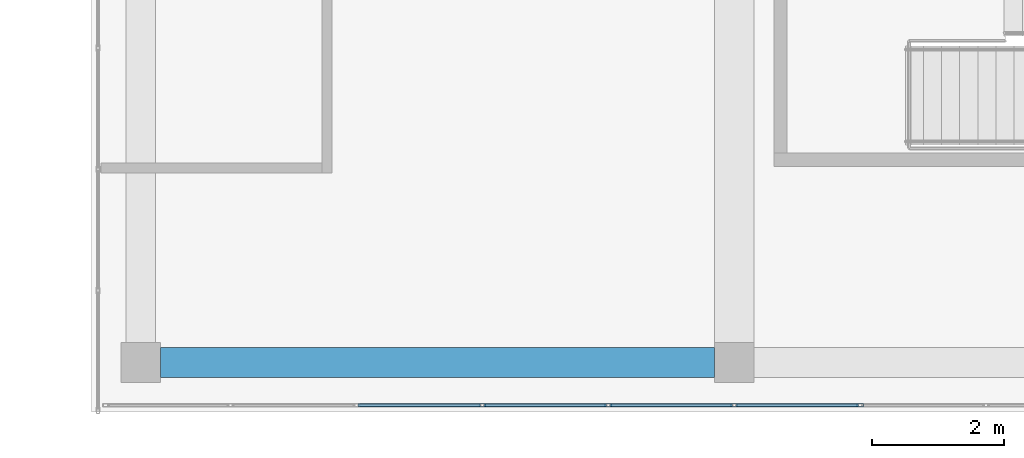
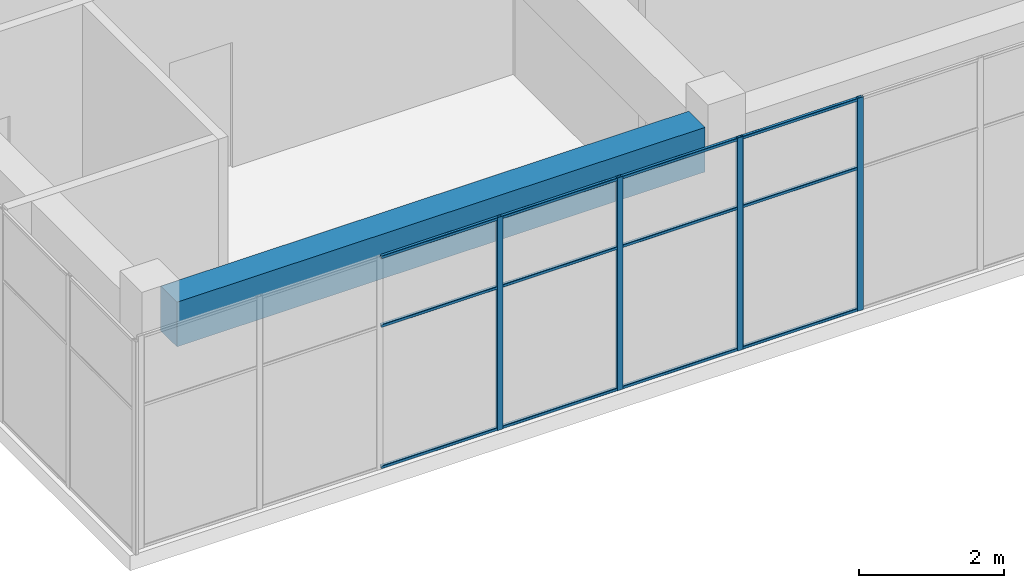
# One storey, part 6 of 35: 16 members, 1 beam, 1 element without a shape of its own.
"""IFC4 building model written with IfcOpenShell, lengths in metres."""

from ifc_helpers import new_model, si_unit, direction, frame, origin, origin_2d, place, context, subcontext, project, spatial, rectangle, hollow_rectangle, extrude, material, layer, layer_set, material_profile, profile_set, type_object, element, aggregate, save


model = new_model("IFC4")

# Units and contexts
model_context = context("Model", 3, precision=1e-05, world=origin(), true_north=direction((0.0, 1.0)))
body_context = subcontext(model_context, "Body", "Model", "MODEL_VIEW")
ifc_project = project(units=[si_unit("LENGTHUNIT", "METRE"), si_unit("AREAUNIT", "SQUARE_METRE"), si_unit("VOLUMEUNIT", "CUBIC_METRE"), si_unit("PLANEANGLEUNIT", "RADIAN"), si_unit("MASSUNIT", "GRAM", prefix="KILO")], contexts=[model_context])

# Site, building, storey
site_placement = place(None, origin())
site = spatial("IfcSite", under=ifc_project, at=site_placement, CompositionType="ELEMENT")
building_placement = place(site_placement, origin())
building = spatial("IfcBuilding", under=site, at=building_placement, Name="Tuart Plaza Theatre", CompositionType="ELEMENT")
storey_placement = place(building_placement, frame((0.0, 0.0, 49.5)))
storey = spatial("IfcBuildingStorey", under=building, at=storey_placement, Name="L12", CompositionType="ELEMENT", Elevation=49.5)

# Beam
ifc_material_1 = material(Name="Concrete N40 (40 MPa)", Category="concrete")
ifc_material_profile_1 = material_profile(ifc_material_1, rectangle(XDim=0.449951171875, YDim=0.75, at=origin_2d()), Name="BEAM 450x750 Concrete N40 (40 MPa)")
ifc_profile_set_1 = profile_set([ifc_material_profile_1], Name="Concrete N40 (40 MPa)")
beam_type = type_object("IfcBeamType", Name="BEAM 450x750 Concrete N40 (40 MPa)", PredefinedType="BEAM", material=ifc_profile_set_1)
beam_placement = place(storey_placement, frame((123.300048828125, 56.0, 3.205078125), z_axis=(1.0, 0.0, 0.0), x_axis=(0.0, 1.0, 0.0)))
element("IfcBeam", 1, at=beam_placement, inside=storey, type_object=beam_type, Name="RB297", PredefinedType="BEAM", context=body_context, shape_type="SweptSolid", body=[
    extrude(rectangle(XDim=0.449951171875, YDim=0.75, at=origin_2d()), origin(), (0.0, 0.0, 1.0), 8.39990234375),
])

# Curtain wall, members
ifc_material_2 = material(Name="Aluminium and glass", Category="aluminium")
ifc_layer = layer(ifc_material_2, 0.10009765625)
ifc_layer_set = layer_set([ifc_layer], Name="CURTAIN WALL 2000 module")
curtain_wall_type = type_object("IfcCurtainWallType", Name="CURTAIN WALL 2000 module", PredefinedType="NOTDEFINED", material=ifc_layer_set)
curtain_wall_placement = place(storey_placement, origin())
curtain_wall = element("IfcCurtainWall", 2, at=curtain_wall_placement, inside=storey, type_object=curtain_wall_type, Name="CW111", PredefinedType="NOTDEFINED")
ifc_material_3 = material(Name="Aluminium 6063-T5", Category="aluminium")
ifc_material_profile_2 = material_profile(ifc_material_3, hollow_rectangle(XDim=0.050048828125, YDim=0.10009765625, WallThickness=0.00390625, InnerFilletRadius=0.00390625, OuterFilletRadius=0.008056640625, at=origin_2d()), Name="RHS 100x50x4")
ifc_profile_set_2 = profile_set([ifc_material_profile_2], Name="Aluminium 6063-T5")
member_type_1 = type_object("IfcMemberType", Name="MULLION RHS 100x50x4", PredefinedType="MULLION", material=ifc_profile_set_2)
member_1_placement = place(storey_placement, frame((128.179931640625, 55.35009765625, 0.0), z_axis=(0.0, 0.0, 1.0), x_axis=(0.0, 1.0, 0.0)))
member_1 = element("IfcMember", 3, at=member_1_placement, type_object=member_type_1, Name="CW111 mullion 4", PredefinedType="MULLION", context=body_context, shape_type="SweptSolid", body=[
    extrude(hollow_rectangle(XDim=0.050048828125, YDim=0.10009765625, WallThickness=0.00390625, InnerFilletRadius=0.00390625, OuterFilletRadius=0.008056640625, at=origin_2d()), origin(), (0.0, 0.0, 1.0), 3.580078125),
])
member_2_placement = place(storey_placement, frame((130.090087890625, 55.35009765625, 0.0), z_axis=(0.0, 0.0, 1.0), x_axis=(0.0, 1.0, 0.0)))
member_2 = element("IfcMember", 4, at=member_2_placement, type_object=member_type_1, Name="CW111 mullion 5", PredefinedType="MULLION", context=body_context, shape_type="SweptSolid", body=[
    extrude(hollow_rectangle(XDim=0.050048828125, YDim=0.10009765625, WallThickness=0.00390625, InnerFilletRadius=0.00390625, OuterFilletRadius=0.008056640625, at=origin_2d()), origin(), (0.0, 0.0, 1.0), 3.580078125),
])
member_3_placement = place(storey_placement, frame((132.0, 55.35009765625, 0.0), z_axis=(0.0, 0.0, 1.0), x_axis=(0.0, 1.0, 0.0)))
member_3 = element("IfcMember", 5, at=member_3_placement, type_object=member_type_1, Name="CW111 mullion 6", PredefinedType="MULLION", context=body_context, shape_type="SweptSolid", body=[
    extrude(hollow_rectangle(XDim=0.050048828125, YDim=0.10009765625, WallThickness=0.00390625, InnerFilletRadius=0.00390625, OuterFilletRadius=0.008056640625, at=origin_2d()), origin(), (0.0, 0.0, 1.0), 3.580078125),
])
member_4_placement = place(storey_placement, frame((133.909912109375, 55.35009765625, 0.0), z_axis=(0.0, 0.0, 1.0), x_axis=(0.0, 1.0, 0.0)))
member_4 = element("IfcMember", 6, at=member_4_placement, type_object=member_type_1, Name="CW111 mullion 7", PredefinedType="MULLION", context=body_context, shape_type="SweptSolid", body=[
    extrude(hollow_rectangle(XDim=0.050048828125, YDim=0.10009765625, WallThickness=0.00390625, InnerFilletRadius=0.00390625, OuterFilletRadius=0.008056640625, at=origin_2d()), origin(), (0.0, 0.0, 1.0), 3.580078125),
])
ifc_material_4 = material(Name="Aluminium 6063-T5", Category="aluminium")
ifc_material_profile_3 = material_profile(ifc_material_4, hollow_rectangle(XDim=0.050048828125, YDim=0.050048828125, WallThickness=0.00390625, InnerFilletRadius=0.00390625, OuterFilletRadius=0.008056640625, at=origin_2d()), Name="RHS 50x50x4")
ifc_profile_set_3 = profile_set([ifc_material_profile_3], Name="Aluminium 6063-T5")
member_type_2 = type_object("IfcMemberType", Name="TRANSOM RHS 50x50x4", PredefinedType="USERDEFINED", material=ifc_profile_set_3)
member_5_placement = place(storey_placement, frame((126.294921875, 55.35009765625, 0.02490234375), z_axis=(1.0, 0.0, 0.0), x_axis=(0.0, 1.0, 0.0)))
member_5 = element("IfcMember", 7, at=member_5_placement, type_object=member_type_2, Name="CW111 transom 3.1", ObjectType="TRANSOM", PredefinedType="USERDEFINED", context=body_context, shape_type="SweptSolid", body=[
    extrude(hollow_rectangle(XDim=0.050048828125, YDim=0.050048828125, WallThickness=0.00390625, InnerFilletRadius=0.00390625, OuterFilletRadius=0.008056640625, at=origin_2d()), origin(), (0.0, 0.0, 1.0), 1.860107421875),
])
member_6_placement = place(storey_placement, frame((126.294921875, 55.35009765625, 2.39990234375), z_axis=(1.0, 0.0, 0.0), x_axis=(0.0, 1.0, 0.0)))
member_6 = element("IfcMember", 8, at=member_6_placement, type_object=member_type_2, Name="CW111 transom 3.2", ObjectType="TRANSOM", PredefinedType="USERDEFINED", context=body_context, shape_type="SweptSolid", body=[
    extrude(hollow_rectangle(XDim=0.050048828125, YDim=0.050048828125, WallThickness=0.00390625, InnerFilletRadius=0.00390625, OuterFilletRadius=0.008056640625, at=origin_2d()), origin(), (0.0, 0.0, 1.0), 1.860107421875),
])
member_7_placement = place(storey_placement, frame((126.294921875, 55.35009765625, 3.554931640625), z_axis=(1.0, 0.0, 0.0), x_axis=(0.0, 1.0, 0.0)))
member_7 = element("IfcMember", 9, at=member_7_placement, type_object=member_type_2, Name="CW111 transom 3.3", ObjectType="TRANSOM", PredefinedType="USERDEFINED", context=body_context, shape_type="SweptSolid", body=[
    extrude(hollow_rectangle(XDim=0.050048828125, YDim=0.050048828125, WallThickness=0.00390625, InnerFilletRadius=0.00390625, OuterFilletRadius=0.008056640625, at=origin_2d()), origin(), (0.0, 0.0, 1.0), 1.860107421875),
])
member_8_placement = place(storey_placement, frame((128.205078125, 55.35009765625, 0.02490234375), z_axis=(1.0, 0.0, 0.0), x_axis=(0.0, 1.0, 0.0)))
member_8 = element("IfcMember", 10, at=member_8_placement, type_object=member_type_2, Name="CW111 transom 4.1", ObjectType="TRANSOM", PredefinedType="USERDEFINED", context=body_context, shape_type="SweptSolid", body=[
    extrude(hollow_rectangle(XDim=0.050048828125, YDim=0.050048828125, WallThickness=0.00390625, InnerFilletRadius=0.00390625, OuterFilletRadius=0.008056640625, at=origin_2d()), origin(), (0.0, 0.0, 1.0), 1.85986328125),
])
member_9_placement = place(storey_placement, frame((128.205078125, 55.35009765625, 2.39990234375), z_axis=(1.0, 0.0, 0.0), x_axis=(0.0, 1.0, 0.0)))
member_9 = element("IfcMember", 11, at=member_9_placement, type_object=member_type_2, Name="CW111 transom 4.2", ObjectType="TRANSOM", PredefinedType="USERDEFINED", context=body_context, shape_type="SweptSolid", body=[
    extrude(hollow_rectangle(XDim=0.050048828125, YDim=0.050048828125, WallThickness=0.00390625, InnerFilletRadius=0.00390625, OuterFilletRadius=0.008056640625, at=origin_2d()), origin(), (0.0, 0.0, 1.0), 1.85986328125),
])
member_10_placement = place(storey_placement, frame((128.205078125, 55.35009765625, 3.554931640625), z_axis=(1.0, 0.0, 0.0), x_axis=(0.0, 1.0, 0.0)))
member_10 = element("IfcMember", 12, at=member_10_placement, type_object=member_type_2, Name="CW111 transom 4.3", ObjectType="TRANSOM", PredefinedType="USERDEFINED", context=body_context, shape_type="SweptSolid", body=[
    extrude(hollow_rectangle(XDim=0.050048828125, YDim=0.050048828125, WallThickness=0.00390625, InnerFilletRadius=0.00390625, OuterFilletRadius=0.008056640625, at=origin_2d()), origin(), (0.0, 0.0, 1.0), 1.85986328125),
])
member_11_placement = place(storey_placement, frame((130.114990234375, 55.35009765625, 0.02490234375), z_axis=(1.0, 0.0, 0.0), x_axis=(0.0, 1.0, 0.0)))
member_11 = element("IfcMember", 13, at=member_11_placement, type_object=member_type_2, Name="CW111 transom 5.1", ObjectType="TRANSOM", PredefinedType="USERDEFINED", context=body_context, shape_type="SweptSolid", body=[
    extrude(hollow_rectangle(XDim=0.050048828125, YDim=0.050048828125, WallThickness=0.00390625, InnerFilletRadius=0.00390625, OuterFilletRadius=0.008056640625, at=origin_2d()), origin(), (0.0, 0.0, 1.0), 1.860107421875),
])
member_12_placement = place(storey_placement, frame((130.114990234375, 55.35009765625, 2.39990234375), z_axis=(1.0, 0.0, 0.0), x_axis=(0.0, 1.0, 0.0)))
member_12 = element("IfcMember", 14, at=member_12_placement, type_object=member_type_2, Name="CW111 transom 5.2", ObjectType="TRANSOM", PredefinedType="USERDEFINED", context=body_context, shape_type="SweptSolid", body=[
    extrude(hollow_rectangle(XDim=0.050048828125, YDim=0.050048828125, WallThickness=0.00390625, InnerFilletRadius=0.00390625, OuterFilletRadius=0.008056640625, at=origin_2d()), origin(), (0.0, 0.0, 1.0), 1.860107421875),
])
member_13_placement = place(storey_placement, frame((130.114990234375, 55.35009765625, 3.554931640625), z_axis=(1.0, 0.0, 0.0), x_axis=(0.0, 1.0, 0.0)))
member_13 = element("IfcMember", 15, at=member_13_placement, type_object=member_type_2, Name="CW111 transom 5.3", ObjectType="TRANSOM", PredefinedType="USERDEFINED", context=body_context, shape_type="SweptSolid", body=[
    extrude(hollow_rectangle(XDim=0.050048828125, YDim=0.050048828125, WallThickness=0.00390625, InnerFilletRadius=0.00390625, OuterFilletRadius=0.008056640625, at=origin_2d()), origin(), (0.0, 0.0, 1.0), 1.860107421875),
])
member_14_placement = place(storey_placement, frame((132.02490234375, 55.35009765625, 0.02490234375), z_axis=(1.0, 0.0, 0.0), x_axis=(0.0, 1.0, 0.0)))
member_14 = element("IfcMember", 16, at=member_14_placement, type_object=member_type_2, Name="CW111 transom 6.1", ObjectType="TRANSOM", PredefinedType="USERDEFINED", context=body_context, shape_type="SweptSolid", body=[
    extrude(hollow_rectangle(XDim=0.050048828125, YDim=0.050048828125, WallThickness=0.00390625, InnerFilletRadius=0.00390625, OuterFilletRadius=0.008056640625, at=origin_2d()), origin(), (0.0, 0.0, 1.0), 1.860107421875),
])
member_15_placement = place(storey_placement, frame((132.02490234375, 55.35009765625, 2.39990234375), z_axis=(1.0, 0.0, 0.0), x_axis=(0.0, 1.0, 0.0)))
member_15 = element("IfcMember", 17, at=member_15_placement, type_object=member_type_2, Name="CW111 transom 6.2", ObjectType="TRANSOM", PredefinedType="USERDEFINED", context=body_context, shape_type="SweptSolid", body=[
    extrude(hollow_rectangle(XDim=0.050048828125, YDim=0.050048828125, WallThickness=0.00390625, InnerFilletRadius=0.00390625, OuterFilletRadius=0.008056640625, at=origin_2d()), origin(), (0.0, 0.0, 1.0), 1.860107421875),
])
member_16_placement = place(storey_placement, frame((132.02490234375, 55.35009765625, 3.554931640625), z_axis=(1.0, 0.0, 0.0), x_axis=(0.0, 1.0, 0.0)))
member_16 = element("IfcMember", 18, at=member_16_placement, type_object=member_type_2, Name="CW111 transom 6.3", ObjectType="TRANSOM", PredefinedType="USERDEFINED", context=body_context, shape_type="SweptSolid", body=[
    extrude(hollow_rectangle(XDim=0.050048828125, YDim=0.050048828125, WallThickness=0.00390625, InnerFilletRadius=0.00390625, OuterFilletRadius=0.008056640625, at=origin_2d()), origin(), (0.0, 0.0, 1.0), 1.860107421875),
])
aggregate(curtain_wall, [member_1, member_2, member_3, member_4, member_5, member_6, member_7, member_8, member_9, member_10, member_11, member_12, member_13, member_14, member_15, member_16])

save(model, "model.ifc")
